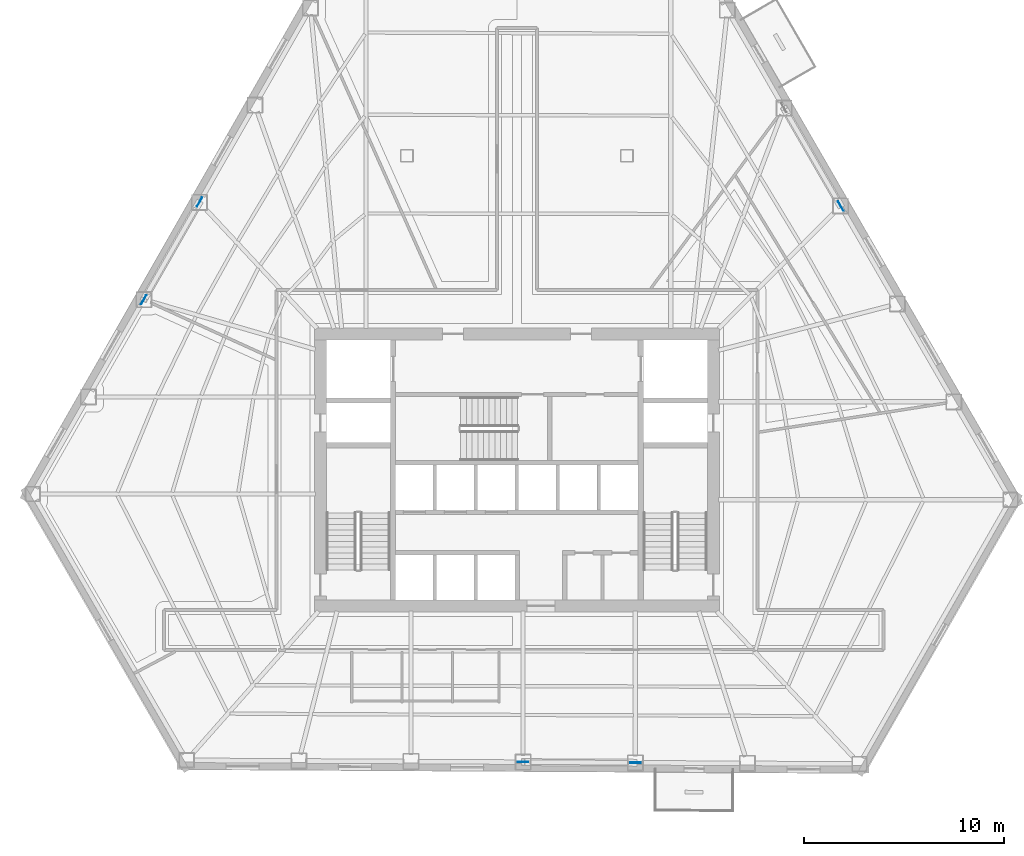
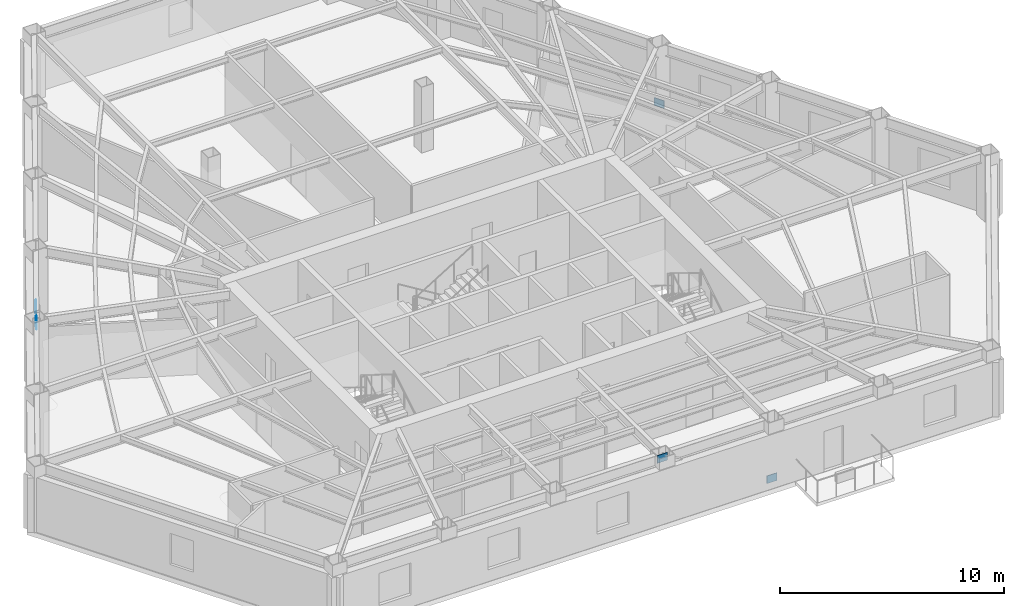
# One storey, part 4 of 12: 5 plates.
"""IFC4 building model written with IfcOpenShell, lengths in metres."""

from ifc_helpers import new_model, si_unit, direction, frame, origin, origin_2d, place, context, subcontext, project, spatial, rectangle, extrude, material, layer, layer_set, type_object, element, save


model = new_model("IFC4")

# Units and contexts
model_context = context("Model", 3, precision=1e-05, world=origin(), true_north=direction((0.0, 1.0)))
body_context = subcontext(model_context, "Body", "Model", "MODEL_VIEW")
ifc_project = project(units=[si_unit("LENGTHUNIT", "METRE"), si_unit("AREAUNIT", "SQUARE_METRE"), si_unit("VOLUMEUNIT", "CUBIC_METRE"), si_unit("PLANEANGLEUNIT", "RADIAN"), si_unit("MASSUNIT", "GRAM", prefix="KILO")], contexts=[model_context])

# Site, building, storey
site_placement = place(None, origin())
site = spatial("IfcSite", under=ifc_project, at=site_placement, CompositionType="ELEMENT")
building_placement = place(site_placement, origin())
building = spatial("IfcBuilding", under=site, at=building_placement, Name="Kavelnor Concourse Tower", CompositionType="ELEMENT")
storey_placement = place(building_placement, frame((0.0, 0.0, 40.64990234375)))
storey = spatial("IfcBuildingStorey", under=building, at=storey_placement, Name="L10", CompositionType="ELEMENT", Elevation=40.64990234375)

# Plates
ifc_material = material(Name="Steel Grade 350", Category="steel")
ifc_layer = layer(ifc_material, 0.031982421875, Name="Steel Grade 350")
ifc_layer_set = layer_set([ifc_layer], Name="Steel Grade 350")
plate_type = type_object("IfcPlateType", Name="PL-GUSSET-TUBE-Z1", PredefinedType="USERDEFINED", material=ifc_layer_set)
for number, where, z_axis, x_axis, name in (
    (1, (22.131591796875, 29.4853515625, 0.01025390625), (0.0, 0.0, 1.0), (-0.495913414893, -0.868371973828, 0.0), "L10 Tube Brace Gusset GP3 F0-B3 End Gusset A"),
    (2, (19.342529296875, 24.60205078125, 3.07421875), (0.0, 0.0, 1.0), (-0.495913414893, -0.868371973828, 0.0), "L10 Tube Brace Gusset GP3 F0-B3 End Gusset B"),
    (3, (43.931640625, 1.45849609375, 0.01025390625), (0.0, 0.0, 1.0), (-0.999985363169, 0.005410494284, 0.0), "L10 Tube Brace Gusset GP3 F1-B3 End Gusset A"),
    (4, (38.30029296875, 1.489501953125, 3.07421875), (0.0, 0.0, 1.0), (-0.999985363169, 0.005410494284, 0.0), "L10 Tube Brace Gusset GP3 F1-B3 End Gusset B"),
    (5, (54.19287109375, 29.2841796875, 0.01025390625), (0.0, 0.0, 1.0), (-0.500604477892, 0.865676126917, 0.0), "L10 Tube Brace Gusset GP3 F2-B3 End Gusset A"),
):
    element("IfcPlate", number, at=place(storey_placement, frame(where, z_axis=z_axis, x_axis=x_axis)), inside=storey, type_object=plate_type, Name=name, ObjectType="GUSSET_PLATE", PredefinedType="USERDEFINED", context=body_context, shape_type="SweptSolid", body=[
        extrude(rectangle(XDim=0.52001953125, YDim=0.031982421875, at=origin_2d()), origin(), (0.0, 0.0, 1.0), 0.419921875),
    ])

save(model, "model.ifc")
